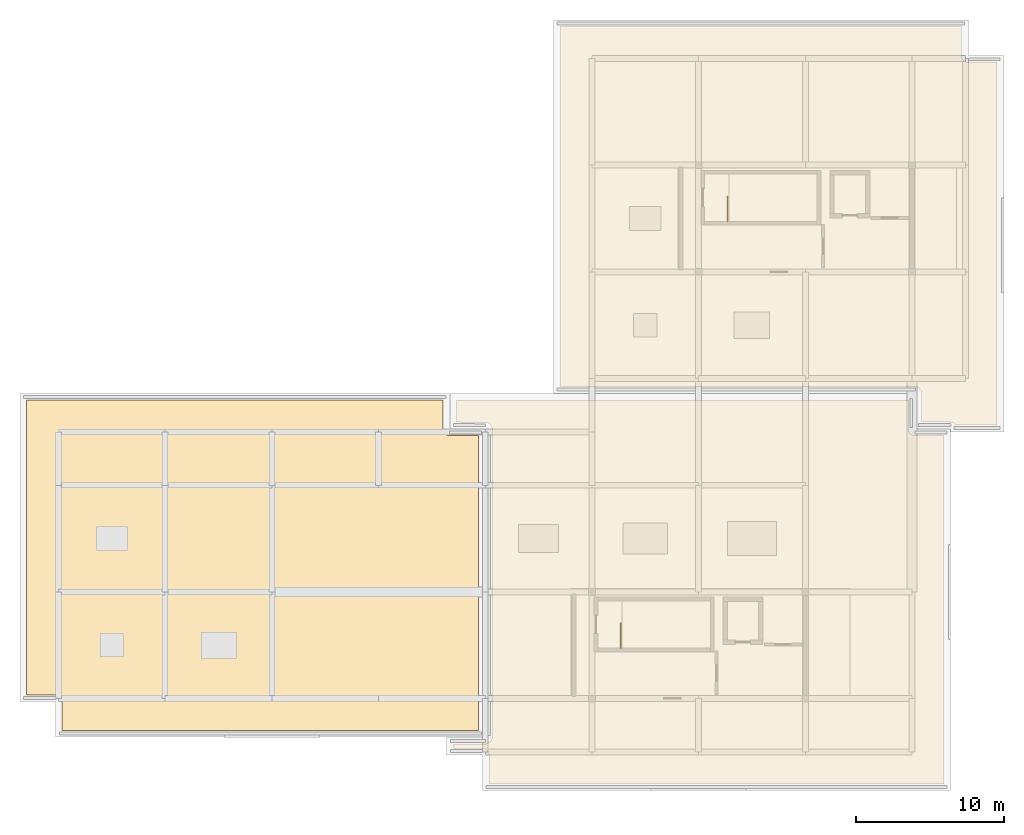
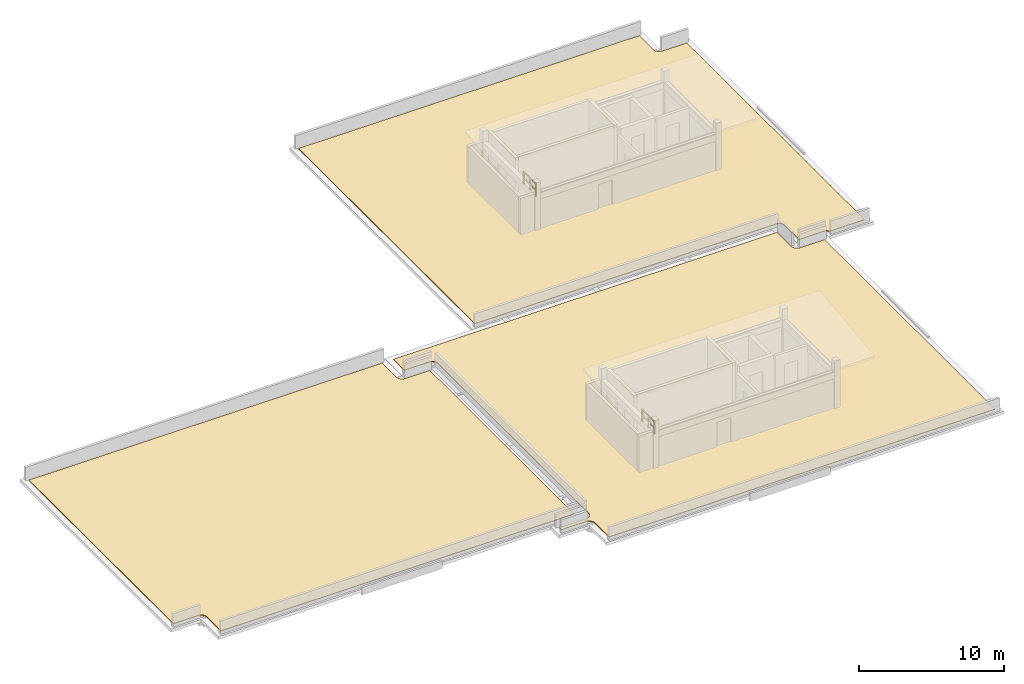
# One storey, part 4 of 4: 3 coverings, 2 railings.
"""IFC4 building model written with IfcOpenShell, lengths in metres."""

from ifc_helpers import new_model, si_unit, direction, frame, origin, origin_2d, place, context, subcontext, project, spatial, polyline, circle, outline, extrude, material, layer, layer_set, type_object, element, save


model = new_model("IFC4")

# Units and contexts
model_context = context("Model", 3, precision=1e-05, world=origin(), true_north=direction((0.0, 1.0)))
body_context = subcontext(model_context, "Body", "Model", "MODEL_VIEW")
ifc_project = project(units=[si_unit("LENGTHUNIT", "METRE"), si_unit("AREAUNIT", "SQUARE_METRE"), si_unit("VOLUMEUNIT", "CUBIC_METRE"), si_unit("PLANEANGLEUNIT", "RADIAN"), si_unit("MASSUNIT", "GRAM", prefix="KILO")], contexts=[model_context])

# Site, building, storey
site_placement = place(None, origin())
site = spatial("IfcSite", under=ifc_project, at=site_placement, CompositionType="ELEMENT")
building_placement = place(site_placement, origin())
building = spatial("IfcBuilding", under=site, at=building_placement, Name="Seraya Terrace Polytechnic", CompositionType="ELEMENT")
storey_placement = place(building_placement, frame((0.0, 0.0, 36.89990234375)))
storey = spatial("IfcBuildingStorey", under=building, at=storey_placement, Name="RF", CompositionType="ELEMENT", Elevation=36.89990234375)

# Railings
ifc_material_1 = material(Name="Steel S355J2", Category="steel")
railing_type = type_object("IfcRailingType", Name="GR-02", PredefinedType="GUARDRAIL", material=ifc_material_1)
railing_1_placement = place(storey_placement, frame((81.14990234375, 10.60009765625, 0.0)))
element("IfcRailing", 1, at=railing_1_placement, inside=storey, type_object=railing_type, Name="RF ST-01 top well guard 1", PredefinedType="GUARDRAIL", context=body_context, shape_type="SweptSolid", body=[
    extrude(circle(Radius=0.02392578125, at=origin_2d()), frame((0.0, 0.0, 1.10595703125), z_axis=(0.0, 1.0, 0.0), x_axis=(-1.0, 0.0, 0.0)), (0.0, 0.0, 1.0), 1.699951171875),
    extrude(circle(Radius=0.02392578125, at=origin_2d()), frame((0.0, 0.0, 0.550048828125), z_axis=(0.0, 1.0, 0.0), x_axis=(-1.0, 0.0, 0.0)), (0.0, 0.0, 1.0), 1.699951171875),
    extrude(circle(Radius=0.02099609375, at=origin_2d()), origin(), (0.0, 0.0, 1.0), 1.081787109375),
    extrude(circle(Radius=0.02099609375, at=origin_2d()), frame((0.0, 0.85009765625, 0.0)), (0.0, 0.0, 1.0), 1.081787109375),
    extrude(circle(Radius=0.02099609375, at=origin_2d()), frame((0.0, 1.699951171875, 0.0)), (0.0, 0.0, 1.0), 1.081787109375),
])
railing_2_placement = place(storey_placement, frame((88.35009765625, 39.39990234375, 0.0)))
element("IfcRailing", 2, at=railing_2_placement, inside=storey, type_object=railing_type, Name="RF ST-02 top well guard 1", PredefinedType="GUARDRAIL", context=body_context, shape_type="SweptSolid", body=[
    extrude(circle(Radius=0.02392578125, at=origin_2d()), frame((0.0, 0.0, 1.10595703125), z_axis=(0.0, 1.0, 0.0), x_axis=(-1.0, 0.0, 0.0)), (0.0, 0.0, 1.0), 1.7001953125),
    extrude(circle(Radius=0.02392578125, at=origin_2d()), frame((0.0, 0.0, 0.550048828125), z_axis=(0.0, 1.0, 0.0), x_axis=(-1.0, 0.0, 0.0)), (0.0, 0.0, 1.0), 1.7001953125),
    extrude(circle(Radius=0.02099609375, at=origin_2d()), origin(), (0.0, 0.0, 1.0), 1.081787109375),
    extrude(circle(Radius=0.02099609375, at=origin_2d()), frame((0.0, 0.85009765625, 0.0)), (0.0, 0.0, 1.0), 1.081787109375),
    extrude(circle(Radius=0.02099609375, at=origin_2d()), frame((0.0, 1.7001953125, 0.0)), (0.0, 0.0, 1.0), 1.081787109375),
])

# Coverings
ifc_material_2 = material(Name="Insulated TPO waterproof roofing membrane")
ifc_layer = layer(ifc_material_2, 0.06005859375, Name="RF-C1")
ifc_layer_set = layer_set([ifc_layer], Name="Insulated TPO waterproof roofing membrane")
covering_type = type_object("IfcCoveringType", Name="RF-C1", PredefinedType="ROOFING", material=ifc_layer_set)
covering_1_placement = place(storey_placement, origin())
element("IfcCovering", 3, at=covering_1_placement, inside=storey, type_object=covering_type, Name="Waterproof TPO roof covering ROOF-RF-SW", PredefinedType="ROOFING", context=body_context, shape_type="SweptSolid", body=[
    extrude(outline(polyline([(43.449951171875, 7.0), (43.415771484375, 7.172119140625), (43.347900390625, 7.285400390625), (43.212158203125, 7.39697265625), (43.087890625, 7.44140625), (41.050048828125, 7.449951171875), (41.050048828125, 27.35009765625), (69.14990234375, 27.35009765625), (69.152099609375, 25.35595703125), (69.184326171875, 25.227783203125), (69.28173828125, 25.081787109375), (69.427734375, 24.984375), (69.555908203125, 24.9521484375), (71.550048828125, 24.949951171875), (71.550048828125, 5.050048828125), (43.449951171875, 5.050048828125), (43.449951171875, 7.0)])), origin(), (0.0, 0.0, 1.0), 0.06005859375),
])
covering_2_placement = place(storey_placement, origin())
element("IfcCovering", 4, at=covering_2_placement, inside=storey, type_object=covering_type, Name="Waterproof TPO roof covering ROOF-RF-SE", PredefinedType="ROOFING", context=body_context, shape_type="SweptSolid", body=[
    extrude(outline(polyline([(100.550048828125, 27.35009765625), (100.55224609375, 25.35595703125), (100.584228515625, 25.227783203125), (100.681884765625, 25.081787109375), (100.827880859375, 24.984375), (100.955810546875, 24.9521484375), (102.949951171875, 24.949951171875), (102.949951171875, 1.449951171875), (72.25, 1.449951171875), (72.247802734375, 3.444091796875), (72.2158203125, 3.572265625), (72.1181640625, 3.71826171875), (71.97216796875, 3.815673828125), (71.843994140625, 3.847900390625), (69.85009765625, 3.85009765625), (69.85009765625, 4.14599609375), (72.005859375, 4.14990234375), (72.13623046875, 4.169677734375), (72.291015625, 4.25244140625), (72.37939453125, 4.350341796875), (72.435791015625, 4.469482421875), (72.455078125, 4.60009765625), (72.452880859375, 25.444580078125), (72.4208984375, 25.572509765625), (72.323486328125, 25.718505859375), (72.217529296875, 25.797119140625), (72.093505859375, 25.841796875), (70.054931640625, 25.854248046875), (70.054931640625, 27.35009765625), (100.550048828125, 27.35009765625)])), origin(), (0.0, 0.0, 1.0), 0.06005859375),
])
covering_3_placement = place(storey_placement, origin())
element("IfcCovering", 5, at=covering_3_placement, inside=storey, type_object=covering_type, Name="Waterproof TPO roof covering ROOF-RF-SPINE", PredefinedType="ROOFING", context=body_context, shape_type="SweptSolid", body=[
    extrude(outline(polyline([(77.050048828125, 52.550048828125), (104.14990234375, 52.550048828125), (104.152099609375, 50.555908203125), (104.184326171875, 50.427734375), (104.28173828125, 50.28173828125), (104.427734375, 50.184326171875), (104.555908203125, 50.152099609375), (106.550048828125, 50.14990234375), (106.550048828125, 25.64990234375), (103.777587890625, 25.64990234375), (103.6474609375, 25.78125), (103.5703125, 25.82177734375), (103.444091796875, 25.852783203125), (101.4541015625, 25.85498046875), (101.441650390625, 27.8935546875), (101.397216796875, 28.017578125), (101.28564453125, 28.153076171875), (101.172607421875, 28.220703125), (101.044677734375, 28.252685546875), (77.050048828125, 28.2548828125), (77.050048828125, 52.550048828125)])), origin(), (0.0, 0.0, 1.0), 0.06005859375),
])

save(model, "model.ifc")
